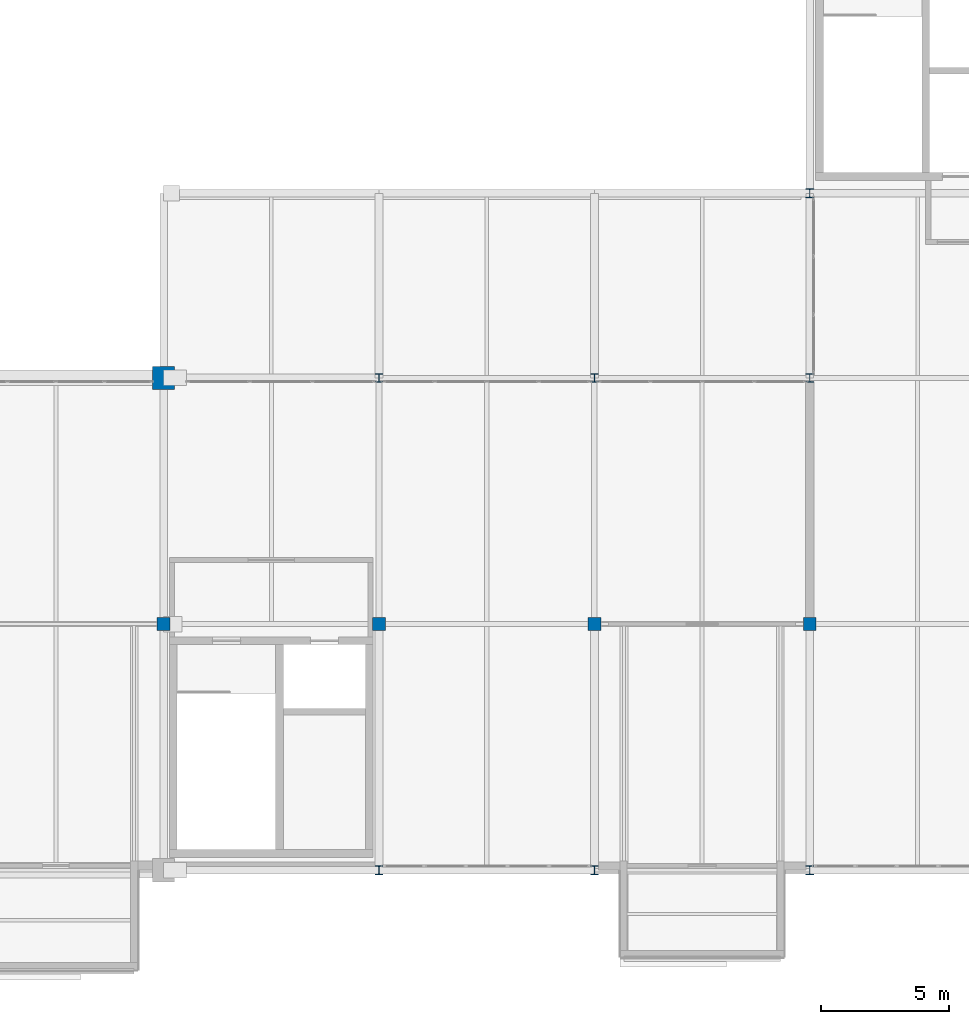
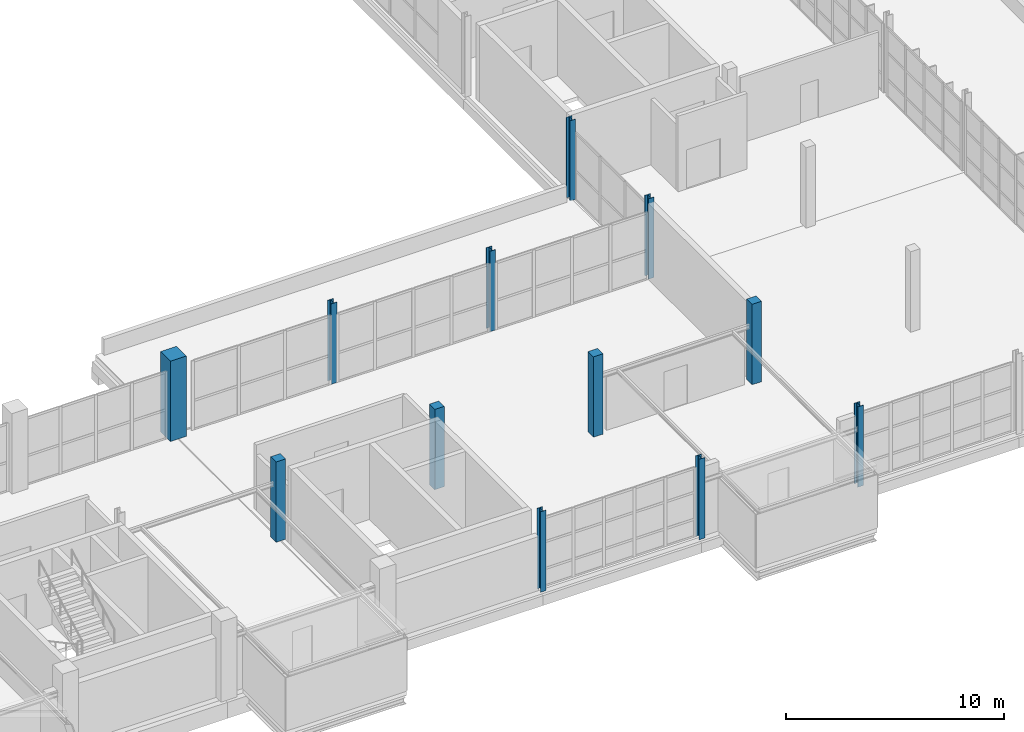
# One storey, part 4 of 103: 12 columns.
"""IFC4 building model written with IfcOpenShell, lengths in metres."""

from ifc_helpers import new_model, si_unit, direction, frame, origin, origin_2d, place, context, subcontext, project, spatial, rectangle, i_section, extrude, material, material_profile, profile_set, type_object, element, save


model = new_model("IFC4")

# Units and contexts
model_context = context("Model", 3, precision=1e-05, world=origin(), true_north=direction((0.0, 1.0)))
body_context = subcontext(model_context, "Body", "Model", "MODEL_VIEW")
ifc_project = project(units=[si_unit("LENGTHUNIT", "METRE"), si_unit("AREAUNIT", "SQUARE_METRE"), si_unit("VOLUMEUNIT", "CUBIC_METRE"), si_unit("PLANEANGLEUNIT", "RADIAN"), si_unit("MASSUNIT", "GRAM", prefix="KILO")], contexts=[model_context])

# Site, building, storey
site_placement = place(None, origin())
site = spatial("IfcSite", under=ifc_project, at=site_placement, CompositionType="ELEMENT")
building_placement = place(site_placement, origin())
building = spatial("IfcBuilding", under=site, at=building_placement, Name="Veltarok Museum of Natural Sciences", CompositionType="ELEMENT")
storey_placement = place(building_placement, frame((0.0, 0.0, 21.89990234375)))
storey = spatial("IfcBuildingStorey", under=building, at=storey_placement, Name="L04", CompositionType="ELEMENT", Elevation=21.89990234375)

# Columns
ifc_material_1 = material(Name="Concrete C40/50", Category="concrete")
ifc_material_profile_1 = material_profile(ifc_material_1, rectangle(XDim=0.85009765625, YDim=0.89990234375, at=origin_2d()), Name="RC 850x900")
ifc_profile_set_1 = profile_set([ifc_material_profile_1], Name="Concrete C40/50")
column_type_1 = type_object("IfcColumnType", Name="Exposed Cabinet Grid Column RC 850x900", PredefinedType="COLUMN", material=ifc_profile_set_1)
column_placement = place(storey_placement, frame((107.199951171875, 19.199951171875, 0.0), z_axis=(0.0, 0.0, 1.0), x_axis=(1.0, 0.0, 0.0)))
element("IfcColumn", 1, at=column_placement, inside=storey, type_object=column_type_1, Name="Column COL-CAB01 L04 13/C", PredefinedType="COLUMN", context=body_context, shape_type="SweptSolid", body=[
    extrude(rectangle(XDim=0.85009765625, YDim=0.89990234375, at=origin_2d()), origin(), (0.0, 0.0, 1.0), 4.5),
])
ifc_material_2 = material(Name="Steel S355J2", Category="steel")
ifc_material_profile_2 = material_profile(ifc_material_2, i_section(OverallWidth=0.300048828125, OverallDepth=0.340087890625, WebThickness=0.011962890625, FlangeThickness=0.021484375, FilletRadius=0.027099609375, at=origin_2d()), Name="HEB 340")
ifc_profile_set_2 = profile_set([ifc_material_profile_2], Name="Steel S355J2")
column_type_2 = type_object("IfcColumnType", Name="Perimeter Spine Column HEB 340", PredefinedType="COLUMN", material=ifc_profile_set_2)
for number, where, z_axis, x_axis, name in (
    (2, (115.60009765625, 0.0, 0.0), (0.0, 0.0, 1.0), (1.0, 0.0, 0.0), "Column COL-EXT05 L04 14/A"),
    (3, (115.60009765625, 19.199951171875, 0.0), (0.0, 0.0, 1.0), (1.0, 0.0, 0.0), "Column COL-EXT05 L04 14/C"),
    (4, (124.0, 0.0, 0.0), (0.0, 0.0, 1.0), (1.0, 0.0, 0.0), "Column COL-EXT05 L04 15/A"),
    (5, (124.0, 19.199951171875, 0.0), (0.0, 0.0, 1.0), (1.0, 0.0, 0.0), "Column COL-EXT05 L04 15/C"),
    (6, (132.39990234375, 0.0, 0.0), (0.0, 0.0, 1.0), (1.0, 0.0, 0.0), "Column COL-EXT05 L04 16/A"),
    (7, (132.39990234375, 19.199951171875, 0.0), (0.0, 0.0, 1.0), (1.0, 0.0, 0.0), "Column COL-EXT05 L04 16/C"),
    (8, (132.39990234375, 26.39990234375, 0.0), (0.0, 0.0, 1.0), (1.0, 0.0, 0.0), "Column COL-EXT05 L04 16/D"),
):
    element("IfcColumn", number, at=place(storey_placement, frame(where, z_axis=z_axis, x_axis=x_axis)), inside=storey, type_object=column_type_2, Name=name, PredefinedType="COLUMN", context=body_context, shape_type="SweptSolid", body=[
        extrude(i_section(OverallWidth=0.300048828125, OverallDepth=0.340087890625, WebThickness=0.011962890625, FlangeThickness=0.021484375, FilletRadius=0.027099609375, at=origin_2d()), origin(), (0.0, 0.0, 1.0), 4.5),
    ])
ifc_material_profile_3 = material_profile(ifc_material_1, rectangle(XDim=0.5, YDim=0.5, at=origin_2d()), Name="RC 500x500")
ifc_profile_set_3 = profile_set([ifc_material_profile_3], Name="Concrete C40/50")
column_type_3 = type_object("IfcColumnType", Name="Upper Lab Column RC 500x500", PredefinedType="COLUMN", material=ifc_profile_set_3)
for number, where, z_axis, x_axis, name in (
    (9, (107.199951171875, 9.60009765625, 0.0), (0.0, 0.0, 1.0), (0.0, 1.0, 0.0), "Column COL-RC03 L04 13/B"),
    (10, (115.60009765625, 9.60009765625, 0.0), (0.0, 0.0, 1.0), (1.0, 0.0, 0.0), "Column COL-RC03 L04 14/B"),
    (11, (124.0, 9.60009765625, 0.0), (0.0, 0.0, 1.0), (1.0, 0.0, 0.0), "Column COL-RC03 L04 15/B"),
    (12, (132.39990234375, 9.60009765625, 0.0), (0.0, 0.0, 1.0), (1.0, 0.0, 0.0), "Column COL-RC03 L04 16/B"),
):
    element("IfcColumn", number, at=place(storey_placement, frame(where, z_axis=z_axis, x_axis=x_axis)), inside=storey, type_object=column_type_3, Name=name, PredefinedType="COLUMN", context=body_context, shape_type="SweptSolid", body=[
        extrude(rectangle(XDim=0.5, YDim=0.5, at=origin_2d()), origin(), (0.0, 0.0, 1.0), 4.5),
    ])

save(model, "model.ifc")
